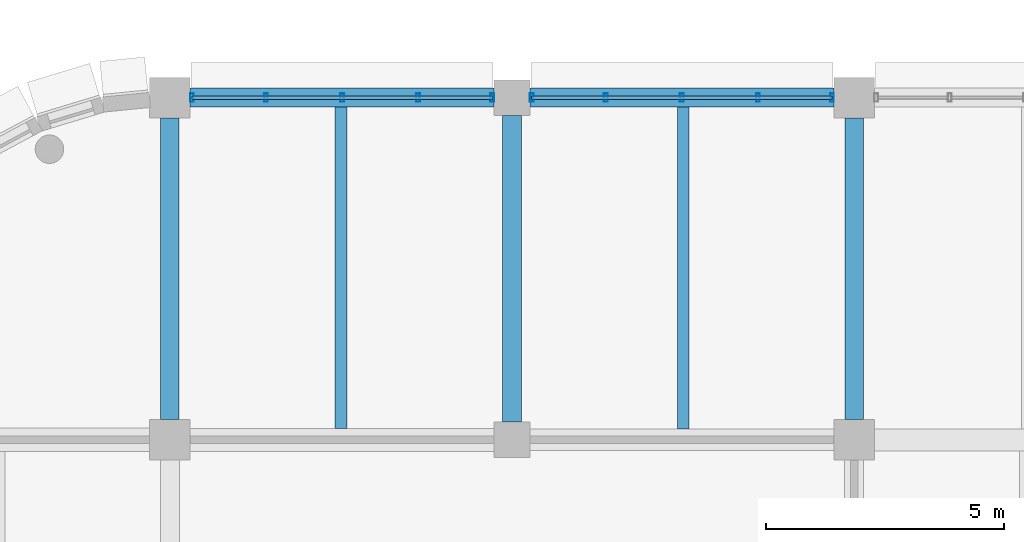
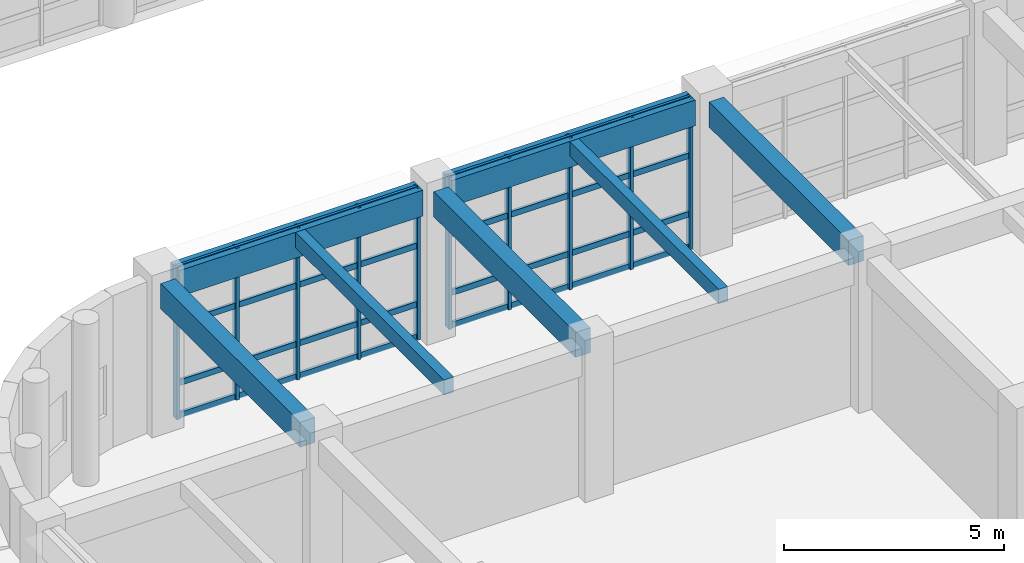
# One storey, part 35 of 171: 18 members, 7 beams, 2 elements without a shape of their own.
"""IFC4 building model written with IfcOpenShell, lengths in metres."""

import ifcopenshell
import ifcopenshell.guid

model = None  # the IFC model being written
_history = None  # IfcOwnerHistory: only IFC2X3 demands one
_inside = {}  # id of a spatial element -> (the spatial element, [elements in it])
_under = {}  # id of a project, library or spatial element -> (it, [spatial elements below it])
_declared = {}  # id of a project -> (the project, [libraries it declares])
_typed = {}  # id of a type object -> (the type object, [elements of that type])
_made_of = {}  # id of a material, layer set ... -> (it, [elements and type objects made of it])


def new_model(schema):
    """Start an empty IFC model of exactly this schema.

    Asked for "IFC4X3", IfcOpenShell would pick the latest addendum, in which some entities
    have other attributes; the version numbers below select the first issue.
    IFC2X3 requires an IfcOwnerHistory on every rooted entity: one is made here for all.
    """
    global model, _history
    if schema == "IFC4X3":
        model = ifcopenshell.file(schema_version=(4, 3, 0, 0))
    else:
        model = ifcopenshell.file(schema=schema)
    _inside.clear()
    _under.clear()
    _declared.clear()
    _typed.clear()
    _made_of.clear()
    _history = None
    if model.schema == "IFC2X3":
        org = make("IfcOrganization", Name="unknown")
        user = make(
            "IfcPersonAndOrganization",
            ThePerson=make("IfcPerson", FamilyName="unknown"),
            TheOrganization=org,
        )
        app = make(
            "IfcApplication",
            ApplicationDeveloper=org,
            Version="unknown",
            ApplicationFullName="unknown",
            ApplicationIdentifier="unknown",
        )
        _history = make(
            "IfcOwnerHistory",
            OwningUser=user,
            OwningApplication=app,
            ChangeAction="ADDED",
            CreationDate=0,
        )
    return model


def make(cls, **values):
    """One entity of the class cls with the attributes given. An attribute that is None is left unset."""
    return model.create_entity(
        cls, **{name: value for name, value in values.items() if value is not None}
    )


def rooted(cls, **values):
    """An entity with a GlobalId (a new one), such as an element, a storey or a relation."""
    return make(cls, GlobalId=ifcopenshell.guid.new(), OwnerHistory=_history, **values)


def si_unit(unit_type, name, prefix=None):
    """IfcSIUnit, for example si_unit("LENGTHUNIT", "METRE", prefix="MILLI")."""
    return make("IfcSIUnit", UnitType=unit_type, Prefix=prefix, Name=name)


def assignment(units):
    """IfcUnitAssignment: the units of a project."""
    return None if units is None else make("IfcUnitAssignment", Units=units)


def point(xyz):
    """IfcCartesianPoint."""
    return None if xyz is None else make("IfcCartesianPoint", Coordinates=xyz)


def direction(xyz):
    """IfcDirection."""
    return None if xyz is None else make("IfcDirection", DirectionRatios=xyz)


def frame(location, z_axis=None, x_axis=None):
    """IfcAxis2Placement3D, a coordinate frame: its origin and axes. An axis left out is left unset."""
    return make(
        "IfcAxis2Placement3D",
        Location=point(location),
        Axis=direction(z_axis),
        RefDirection=direction(x_axis),
    )


def frame_2d(location, x_axis=None):
    """IfcAxis2Placement2D, a coordinate frame in the plane: its origin and x axis."""
    return make(
        "IfcAxis2Placement2D", Location=point(location), RefDirection=direction(x_axis)
    )


def origin():
    """The frame at (0, 0, 0) with its axes left unset."""
    return frame((0.0, 0.0, 0.0))


def origin_2d():
    """The frame at (0, 0) in the plane with its x axis left unset."""
    return frame_2d((0.0, 0.0))


def place(relative_to, where):
    """IfcLocalPlacement: puts the frame where relative to a parent placement (None: the world)."""
    return make(
        "IfcLocalPlacement", PlacementRelTo=relative_to, RelativePlacement=where
    )


def context(
    kind, dimensions, precision=None, world=None, true_north=None, identifier=None
):
    """IfcGeometricRepresentationContext, for example the 3D "Model" context."""
    return make(
        "IfcGeometricRepresentationContext",
        ContextIdentifier=identifier,
        ContextType=kind,
        CoordinateSpaceDimension=dimensions,
        Precision=precision,
        WorldCoordinateSystem=world,
        TrueNorth=true_north,
    )


def subcontext(parent, identifier, kind, view, scale=None):
    """IfcGeometricRepresentationSubContext, for example "Body" below "Model"."""
    return make(
        "IfcGeometricRepresentationSubContext",
        ContextIdentifier=identifier,
        ContextType=kind,
        ParentContext=parent,
        TargetScale=scale,
        TargetView=view,
    )


def project(units=None, contexts=None):
    """IfcProject with its units and contexts."""
    return rooted(
        "IfcProject",
        Name="project",
        RepresentationContexts=contexts,
        UnitsInContext=assignment(units),
    )


def spatial(cls, under=None, at=None, **own):
    """A site, building, storey or space (cls), placed at a placement, below another one or the project."""
    s = rooted(cls, ObjectPlacement=at, **own)
    if under is not None:
        _under.setdefault(under.id(), (under, []))[1].append(s)
    return s


def profile(cls, at=None, kind="AREA", **sizes):
    """A parametric profile (cls). Its sizes go by their IFC names, for example OverallWidth=200.0."""
    return make(cls, ProfileType=kind, Position=at, **sizes)


def rectangle(**sizes):
    """IfcRectangleProfileDef."""
    return profile("IfcRectangleProfileDef", **sizes)


def hollow_rectangle(**sizes):
    """IfcRectangleHollowProfileDef."""
    return profile("IfcRectangleHollowProfileDef", **sizes)


def extrude(swept, where, along, depth):
    """IfcExtrudedAreaSolid: the profile swept, set in the frame where, extruded along a direction by depth."""
    return make(
        "IfcExtrudedAreaSolid",
        SweptArea=swept,
        Position=where,
        ExtrudedDirection=direction(along),
        Depth=depth,
    )


def shape(context_of_items, identifier, shape_type, items):
    """IfcShapeRepresentation: the items that make up one representation, for example the "Body"."""
    return make(
        "IfcShapeRepresentation",
        ContextOfItems=context_of_items,
        RepresentationIdentifier=identifier,
        RepresentationType=shape_type,
        Items=items,
    )


def material(Name=None, Category=None):
    """IfcMaterial."""
    return make("IfcMaterial", Name=Name, Category=Category)


def material_profile(
    of_material, cross_section, Name=None, Category=None, Priority=None
):
    """IfcMaterialProfile: a cross section and its material."""
    return make(
        "IfcMaterialProfile",
        Name=Name,
        Material=of_material,
        Profile=cross_section,
        Priority=Priority,
        Category=Category,
    )


def profile_set(profiles, Name=None, composite=None):
    """IfcMaterialProfileSet."""
    return make(
        "IfcMaterialProfileSet",
        Name=Name,
        MaterialProfiles=profiles,
        CompositeProfile=composite,
    )


def made_of(thing, what):
    """Note that an element or type object is made of a material, layer set ...; save() writes the relation."""
    if what is not None:
        _made_of.setdefault(what.id(), (what, []))[1].append(thing)
    return thing


def type_object(cls, material=None, **own):
    """A type object (cls), such as IfcWallType, which elements share."""
    return made_of(rooted(cls, **own), material)


def element(
    cls,
    number,
    at=None,
    inside=None,
    cuts=None,
    type_object=None,
    material=None,
    context=None,
    identifier="Body",
    shape_type=None,
    held_by="IfcProductDefinitionShape",
    body=None,
    shapes=None,
    **own,
):
    """One element of the class cls, such as IfcWall. Its Tag is "e" and its number.

    at: its placement. inside: the storey or other place that contains it. cuts: it is an
    opening in that element (IfcRelVoidsElement). A single representation is given by context,
    identifier, shape_type and body (its items); several are given by shapes. held_by: the class
    of the entity that holds the representations. save() writes the other relations.
    """
    e = rooted(cls, Tag="e%d" % number, ObjectPlacement=at, **own)
    if body is not None:
        shapes = [shape(context, identifier, shape_type, body)]
    if shapes is not None:
        e.Representation = make(held_by, Representations=shapes)
    if inside is not None:
        _inside.setdefault(inside.id(), (inside, []))[1].append(e)
    if cuts is not None:
        rooted(
            "IfcRelVoidsElement", RelatingBuildingElement=cuts, RelatedOpeningElement=e
        )
    if type_object is not None:
        _typed.setdefault(type_object.id(), (type_object, []))[1].append(e)
    return made_of(e, material)


def aggregate(whole, parts):
    """IfcRelAggregates: a whole, such as a stair, and the parts it consists of."""
    return rooted("IfcRelAggregates", RelatingObject=whole, RelatedObjects=parts)


def save(model, path):
    """Write the relations noted so far, then the file.

    IfcRelAggregates (storeys below a building ...), IfcRelContainedInSpatialStructure (elements
    in a storey), IfcRelDefinesByType, IfcRelAssociatesMaterial and IfcRelDeclares: one each for
    every whole, place, type object, material and project.
    """
    for whole, parts in _under.values():
        aggregate(whole, parts)
    for where, things in _inside.values():
        rooted(
            "IfcRelContainedInSpatialStructure",
            RelatedElements=things,
            RelatingStructure=where,
        )
    for kind, things in _typed.values():
        rooted("IfcRelDefinesByType", RelatedObjects=things, RelatingType=kind)
    for what, things in _made_of.values():
        rooted("IfcRelAssociatesMaterial", RelatedObjects=things, RelatingMaterial=what)
    for by, libraries in _declared.values():
        rooted("IfcRelDeclares", RelatingContext=by, RelatedDefinitions=libraries)
    model.write(path)


model = new_model("IFC4")

# Units and contexts
model_context = context("Model", 3, precision=1e-05, world=origin(), true_north=direction((0.0, 1.0)))
body_context = subcontext(model_context, "Body", "Model", "MODEL_VIEW")
ifc_project = project(units=[si_unit("LENGTHUNIT", "METRE"), si_unit("AREAUNIT", "SQUARE_METRE"), si_unit("VOLUMEUNIT", "CUBIC_METRE"), si_unit("PLANEANGLEUNIT", "RADIAN"), si_unit("MASSUNIT", "GRAM", prefix="KILO")], contexts=[model_context])

# Site, building, storey
site_placement = place(None, origin())
site = spatial("IfcSite", under=ifc_project, at=site_placement, CompositionType="ELEMENT")
building_placement = place(site_placement, origin())
building = spatial("IfcBuilding", under=site, at=building_placement, Name="Thalmaran Polytechnic", CompositionType="ELEMENT")
storey_placement = place(building_placement, frame((0.0, 0.0, 5.39990234375)))
storey = spatial("IfcBuildingStorey", under=building, at=storey_placement, Name="L01", CompositionType="ELEMENT", Elevation=5.39990234375)

# Beams
ifc_material_1 = material(Name="Concrete C40/50", Category="concrete")
ifc_material_profile_1 = material_profile(ifc_material_1, rectangle(XDim=0.389892578125, YDim=0.695068359375, at=origin_2d()), Name="RC 390x695")
ifc_profile_set_1 = profile_set([ifc_material_profile_1], Name="Concrete C40/50")
beam_type_1 = type_object("IfcBeamType", Name="BM-RC10", PredefinedType="BEAM", material=ifc_profile_set_1)
beam_1_placement = place(storey_placement, frame((64.800048828125, 29.22509765625, 3.862548828125), z_axis=(0.0, 1.0, 0.0), x_axis=(-1.0, 0.0, 0.0)))
element("IfcBeam", 1, at=beam_1_placement, inside=storey, type_object=beam_type_1, Name="Grid Beam B10 L01 Y(9,4)", PredefinedType="BEAM", context=body_context, shape_type="SweptSolid", body=[
    extrude(rectangle(XDim=0.389892578125, YDim=0.695068359375, at=origin_2d()), origin(), (0.0, 0.0, 1.0), 6.349853515625),
])
beam_2_placement = place(storey_placement, frame((72.0, 29.175048828125, 3.862548828125), z_axis=(0.0, 1.0, 0.0), x_axis=(-1.0, 0.0, 0.0)))
element("IfcBeam", 2, at=beam_2_placement, inside=storey, type_object=beam_type_1, Name="Grid Beam B10 L01 Y(10,4)", PredefinedType="BEAM", context=body_context, shape_type="SweptSolid", body=[
    extrude(rectangle(XDim=0.389892578125, YDim=0.695068359375, at=origin_2d()), origin(), (0.0, 0.0, 1.0), 6.449951171875),
])
beam_3_placement = place(storey_placement, frame((79.199951171875, 29.22509765625, 3.862548828125), z_axis=(0.0, 1.0, 0.0), x_axis=(-1.0, 0.0, 0.0)))
element("IfcBeam", 3, at=beam_3_placement, inside=storey, type_object=beam_type_1, Name="Grid Beam B10 L01 Y(11,4)", PredefinedType="BEAM", context=body_context, shape_type="SweptSolid", body=[
    extrude(rectangle(XDim=0.389892578125, YDim=0.695068359375, at=origin_2d()), origin(), (0.0, 0.0, 1.0), 6.349853515625),
])
ifc_material_profile_2 = material_profile(ifc_material_1, rectangle(XDim=0.39990234375, YDim=0.719970703125, at=origin_2d()), Name="RC 400x720")
ifc_profile_set_2 = profile_set([ifc_material_profile_2], Name="Concrete C40/50")
beam_type_2 = type_object("IfcBeamType", Name="BM-SP01", PredefinedType="SPANDREL", material=ifc_profile_set_2)
for number, where, z_axis, x_axis, name in (
    (4, (65.22509765625, 36.0, 3.85009765625), (1.0, 0.0, 0.0), (0.0, 1.0, 0.0), "Grid Beam SP01 L01 X(9,5)"),
    (5, (72.375, 36.0, 3.85009765625), (1.0, 0.0, 0.0), (0.0, 1.0, 0.0), "Grid Beam SP01 L01 X(10,5)"),
):
    element("IfcBeam", number, at=place(storey_placement, frame(where, z_axis=z_axis, x_axis=x_axis)), inside=storey, type_object=beam_type_2, Name=name, PredefinedType="SPANDREL", context=body_context, shape_type="SweptSolid", body=[
        extrude(rectangle(XDim=0.39990234375, YDim=0.719970703125, at=origin_2d()), origin(), (0.0, 0.0, 1.0), 6.39990234375),
    ])
ifc_material_profile_3 = material_profile(ifc_material_1, rectangle(XDim=0.25, YDim=0.419921875, at=origin_2d()), Name="RC 250x420")
ifc_profile_set_3 = profile_set([ifc_material_profile_3], Name="Concrete C40/50")
beam_type_3 = type_object("IfcBeamType", Name="BM-ZJ03", PredefinedType="JOIST", material=ifc_profile_set_3)
beam_4_placement = place(storey_placement, frame((68.39990234375, 29.0400390625, 4.0), z_axis=(0.0, 1.0, 0.0), x_axis=(-1.0, 0.0, 0.0)))
element("IfcBeam", 6, at=beam_4_placement, inside=storey, type_object=beam_type_3, Name="Secondary Floor Rib ZJ03 L01 (9,4)", PredefinedType="JOIST", context=body_context, shape_type="SweptSolid", body=[
    extrude(rectangle(XDim=0.25, YDim=0.419921875, at=origin_2d()), origin(), (0.0, 0.0, 1.0), 6.760009765625),
])
ifc_material_profile_4 = material_profile(ifc_material_1, rectangle(XDim=0.239990234375, YDim=0.39990234375, at=origin_2d()), Name="RC 240x400")
ifc_profile_set_4 = profile_set([ifc_material_profile_4], Name="Concrete C40/50")
beam_type_4 = type_object("IfcBeamType", Name="BM-ZJ04", PredefinedType="JOIST", material=ifc_profile_set_4)
beam_5_placement = place(storey_placement, frame((75.60009765625, 29.02490234375, 4.010009765625), z_axis=(0.0, 1.0, 0.0), x_axis=(-1.0, 0.0, 0.0)))
element("IfcBeam", 7, at=beam_5_placement, inside=storey, type_object=beam_type_4, Name="Secondary Floor Rib ZJ04 L01 (10,4)", PredefinedType="JOIST", context=body_context, shape_type="SweptSolid", body=[
    extrude(rectangle(XDim=0.239990234375, YDim=0.39990234375, at=origin_2d()), origin(), (0.0, 0.0, 1.0), 6.775146484375),
])

# Curtain wall, members
ifc_material_2 = material(Name="Aluminium 6063-T6", Category="aluminium")
curtain_wall_type = type_object("IfcCurtainWallType", Name="CW-UC02", PredefinedType="USERDEFINED", material=ifc_material_2)
curtain_wall_1_placement = place(storey_placement, origin())
curtain_wall_1 = element("IfcCurtainWall", 8, at=curtain_wall_1_placement, inside=storey, type_object=curtain_wall_type, Name="Curtain Wall CW-L01-168", ObjectType="UNITISED CURTAIN WALL", PredefinedType="USERDEFINED")
ifc_material_profile_5 = material_profile(ifc_material_2, hollow_rectangle(XDim=0.080078125, YDim=0.179931640625, WallThickness=0.0048828125, at=origin_2d()), Name="RHS 180x80x5.0")
ifc_profile_set_5 = profile_set([ifc_material_profile_5], Name="Aluminium 6063-T6")
member_type_1 = type_object("IfcMemberType", Name="CW-MUL1", PredefinedType="MULLION", material=ifc_profile_set_5)
member_1_placement = place(storey_placement, frame((65.264892578125, 36.0, 0.0), z_axis=(0.0, 0.0, 1.0), x_axis=(1.0, 0.0, 0.0)))
member_1 = element("IfcMember", 9, at=member_1_placement, type_object=member_type_1, Name="CW-L01-168 Mullion 1", PredefinedType="MULLION", context=body_context, shape_type="SweptSolid", body=[
    extrude(hollow_rectangle(XDim=0.080078125, YDim=0.179931640625, WallThickness=0.0048828125, at=origin_2d()), origin(), (0.0, 0.0, 1.0), 4.210205078125),
])
member_2_placement = place(storey_placement, frame((66.824951171875, 36.0, 0.0), z_axis=(0.0, 0.0, 1.0), x_axis=(1.0, 0.0, 0.0)))
member_2 = element("IfcMember", 10, at=member_2_placement, type_object=member_type_1, Name="CW-L01-168 Mullion 2", PredefinedType="MULLION", context=body_context, shape_type="SweptSolid", body=[
    extrude(hollow_rectangle(XDim=0.080078125, YDim=0.179931640625, WallThickness=0.0048828125, at=origin_2d()), origin(), (0.0, 0.0, 1.0), 4.210205078125),
])
member_3_placement = place(storey_placement, frame((68.425048828125, 36.0, 0.0), z_axis=(0.0, 0.0, 1.0), x_axis=(1.0, 0.0, 0.0)))
member_3 = element("IfcMember", 11, at=member_3_placement, type_object=member_type_1, Name="CW-L01-168 Mullion 3", PredefinedType="MULLION", context=body_context, shape_type="SweptSolid", body=[
    extrude(hollow_rectangle(XDim=0.080078125, YDim=0.179931640625, WallThickness=0.0048828125, at=origin_2d()), origin(), (0.0, 0.0, 1.0), 4.210205078125),
])
member_4_placement = place(storey_placement, frame((70.02490234375, 36.0, 0.0), z_axis=(0.0, 0.0, 1.0), x_axis=(1.0, 0.0, 0.0)))
member_4 = element("IfcMember", 12, at=member_4_placement, type_object=member_type_1, Name="CW-L01-168 Mullion 4", PredefinedType="MULLION", context=body_context, shape_type="SweptSolid", body=[
    extrude(hollow_rectangle(XDim=0.080078125, YDim=0.179931640625, WallThickness=0.0048828125, at=origin_2d()), origin(), (0.0, 0.0, 1.0), 4.210205078125),
])
member_5_placement = place(storey_placement, frame((71.5849609375, 36.0, 0.0), z_axis=(0.0, 0.0, 1.0), x_axis=(1.0, 0.0, 0.0)))
member_5 = element("IfcMember", 13, at=member_5_placement, type_object=member_type_1, Name="CW-L01-168 Mullion 5", PredefinedType="MULLION", context=body_context, shape_type="SweptSolid", body=[
    extrude(hollow_rectangle(XDim=0.080078125, YDim=0.179931640625, WallThickness=0.0048828125, at=origin_2d()), origin(), (0.0, 0.0, 1.0), 4.210205078125),
])

curtain_wall_2_placement = place(storey_placement, origin())
curtain_wall_2 = element("IfcCurtainWall", 14, at=curtain_wall_2_placement, inside=storey, type_object=curtain_wall_type, Name="Curtain Wall CW-L01-169", ObjectType="UNITISED CURTAIN WALL", PredefinedType="USERDEFINED")
member_6_placement = place(storey_placement, frame((72.4150390625, 36.0, 0.0), z_axis=(0.0, 0.0, 1.0), x_axis=(1.0, 0.0, 0.0)))
member_6 = element("IfcMember", 15, at=member_6_placement, type_object=member_type_1, Name="CW-L01-169 Mullion 1", PredefinedType="MULLION", context=body_context, shape_type="SweptSolid", body=[
    extrude(hollow_rectangle(XDim=0.080078125, YDim=0.179931640625, WallThickness=0.0048828125, at=origin_2d()), origin(), (0.0, 0.0, 1.0), 4.210205078125),
])
member_7_placement = place(storey_placement, frame((73.97509765625, 36.0, 0.0), z_axis=(0.0, 0.0, 1.0), x_axis=(1.0, 0.0, 0.0)))
member_7 = element("IfcMember", 16, at=member_7_placement, type_object=member_type_1, Name="CW-L01-169 Mullion 2", PredefinedType="MULLION", context=body_context, shape_type="SweptSolid", body=[
    extrude(hollow_rectangle(XDim=0.080078125, YDim=0.179931640625, WallThickness=0.0048828125, at=origin_2d()), origin(), (0.0, 0.0, 1.0), 4.210205078125),
])
member_8_placement = place(storey_placement, frame((75.574951171875, 36.0, 0.0), z_axis=(0.0, 0.0, 1.0), x_axis=(1.0, 0.0, 0.0)))
member_8 = element("IfcMember", 17, at=member_8_placement, type_object=member_type_1, Name="CW-L01-169 Mullion 3", PredefinedType="MULLION", context=body_context, shape_type="SweptSolid", body=[
    extrude(hollow_rectangle(XDim=0.080078125, YDim=0.179931640625, WallThickness=0.0048828125, at=origin_2d()), origin(), (0.0, 0.0, 1.0), 4.210205078125),
])
member_9_placement = place(storey_placement, frame((77.175048828125, 36.0, 0.0), z_axis=(0.0, 0.0, 1.0), x_axis=(1.0, 0.0, 0.0)))
member_9 = element("IfcMember", 18, at=member_9_placement, type_object=member_type_1, Name="CW-L01-169 Mullion 4", PredefinedType="MULLION", context=body_context, shape_type="SweptSolid", body=[
    extrude(hollow_rectangle(XDim=0.080078125, YDim=0.179931640625, WallThickness=0.0048828125, at=origin_2d()), origin(), (0.0, 0.0, 1.0), 4.210205078125),
])
member_10_placement = place(storey_placement, frame((78.735107421875, 36.0, 0.0), z_axis=(0.0, 0.0, 1.0), x_axis=(1.0, 0.0, 0.0)))
member_10 = element("IfcMember", 19, at=member_10_placement, type_object=member_type_1, Name="CW-L01-169 Mullion 5", PredefinedType="MULLION", context=body_context, shape_type="SweptSolid", body=[
    extrude(hollow_rectangle(XDim=0.080078125, YDim=0.179931640625, WallThickness=0.0048828125, at=origin_2d()), origin(), (0.0, 0.0, 1.0), 4.210205078125),
])

# Member
ifc_material_profile_6 = material_profile(ifc_material_2, hollow_rectangle(XDim=0.070068359375, YDim=0.159912109375, WallThickness=0.00390625, at=origin_2d()), Name="AL 160x70x4.0")
ifc_profile_set_6 = profile_set([ifc_material_profile_6], Name="Aluminium 6063-T6")
member_type_2 = type_object("IfcMemberType", Name="CW-TRN1", PredefinedType="USERDEFINED", material=ifc_profile_set_6)
member_11_placement = place(storey_placement, frame((65.264892578125, 36.0, 0.06005859375), z_axis=(1.0, 0.0, 0.0), x_axis=(0.0, 1.0, 0.0)))
member_11 = element("IfcMember", 20, at=member_11_placement, type_object=member_type_2, Name="CW-L01-168 Transom 1", ObjectType="TRANSOM", PredefinedType="USERDEFINED", context=body_context, shape_type="SweptSolid", body=[
    extrude(hollow_rectangle(XDim=0.070068359375, YDim=0.159912109375, WallThickness=0.00390625, at=origin_2d()), origin(), (0.0, 0.0, 1.0), 6.320068359375),
])

member_12_placement = place(storey_placement, frame((65.264892578125, 36.0, 0.960205078125), z_axis=(1.0, 0.0, 0.0), x_axis=(0.0, 1.0, 0.0)))
member_12 = element("IfcMember", 21, at=member_12_placement, type_object=member_type_2, Name="CW-L01-168 Transom 2", ObjectType="TRANSOM", PredefinedType="USERDEFINED", context=body_context, shape_type="SweptSolid", body=[
    extrude(hollow_rectangle(XDim=0.070068359375, YDim=0.159912109375, WallThickness=0.00390625, at=origin_2d()), origin(), (0.0, 0.0, 1.0), 6.320068359375),
])

member_13_placement = place(storey_placement, frame((65.264892578125, 36.0, 2.585205078125), z_axis=(1.0, 0.0, 0.0), x_axis=(0.0, 1.0, 0.0)))
member_13 = element("IfcMember", 22, at=member_13_placement, type_object=member_type_2, Name="CW-L01-168 Transom 3", ObjectType="TRANSOM", PredefinedType="USERDEFINED", context=body_context, shape_type="SweptSolid", body=[
    extrude(hollow_rectangle(XDim=0.070068359375, YDim=0.159912109375, WallThickness=0.00390625, at=origin_2d()), origin(), (0.0, 0.0, 1.0), 6.320068359375),
])

member_14_placement = place(storey_placement, frame((65.264892578125, 36.0, 4.150146484375), z_axis=(1.0, 0.0, 0.0), x_axis=(0.0, 1.0, 0.0)))
member_14 = element("IfcMember", 23, at=member_14_placement, type_object=member_type_2, Name="CW-L01-168 Transom 4", ObjectType="TRANSOM", PredefinedType="USERDEFINED", context=body_context, shape_type="SweptSolid", body=[
    extrude(hollow_rectangle(XDim=0.070068359375, YDim=0.159912109375, WallThickness=0.00390625, at=origin_2d()), origin(), (0.0, 0.0, 1.0), 6.320068359375),
])

aggregate(curtain_wall_1, [member_1, member_2, member_3, member_4, member_5, member_11, member_12, member_13, member_14])

member_15_placement = place(storey_placement, frame((72.4150390625, 36.0, 0.06005859375), z_axis=(1.0, 0.0, 0.0), x_axis=(0.0, 1.0, 0.0)))
member_15 = element("IfcMember", 24, at=member_15_placement, type_object=member_type_2, Name="CW-L01-169 Transom 1", ObjectType="TRANSOM", PredefinedType="USERDEFINED", context=body_context, shape_type="SweptSolid", body=[
    extrude(hollow_rectangle(XDim=0.070068359375, YDim=0.159912109375, WallThickness=0.00390625, at=origin_2d()), origin(), (0.0, 0.0, 1.0), 6.320068359375),
])

member_16_placement = place(storey_placement, frame((72.4150390625, 36.0, 0.960205078125), z_axis=(1.0, 0.0, 0.0), x_axis=(0.0, 1.0, 0.0)))
member_16 = element("IfcMember", 25, at=member_16_placement, type_object=member_type_2, Name="CW-L01-169 Transom 2", ObjectType="TRANSOM", PredefinedType="USERDEFINED", context=body_context, shape_type="SweptSolid", body=[
    extrude(hollow_rectangle(XDim=0.070068359375, YDim=0.159912109375, WallThickness=0.00390625, at=origin_2d()), origin(), (0.0, 0.0, 1.0), 6.320068359375),
])

member_17_placement = place(storey_placement, frame((72.4150390625, 36.0, 2.585205078125), z_axis=(1.0, 0.0, 0.0), x_axis=(0.0, 1.0, 0.0)))
member_17 = element("IfcMember", 26, at=member_17_placement, type_object=member_type_2, Name="CW-L01-169 Transom 3", ObjectType="TRANSOM", PredefinedType="USERDEFINED", context=body_context, shape_type="SweptSolid", body=[
    extrude(hollow_rectangle(XDim=0.070068359375, YDim=0.159912109375, WallThickness=0.00390625, at=origin_2d()), origin(), (0.0, 0.0, 1.0), 6.320068359375),
])

member_18_placement = place(storey_placement, frame((72.4150390625, 36.0, 4.150146484375), z_axis=(1.0, 0.0, 0.0), x_axis=(0.0, 1.0, 0.0)))
member_18 = element("IfcMember", 27, at=member_18_placement, type_object=member_type_2, Name="CW-L01-169 Transom 4", ObjectType="TRANSOM", PredefinedType="USERDEFINED", context=body_context, shape_type="SweptSolid", body=[
    extrude(hollow_rectangle(XDim=0.070068359375, YDim=0.159912109375, WallThickness=0.00390625, at=origin_2d()), origin(), (0.0, 0.0, 1.0), 6.320068359375),
])

aggregate(curtain_wall_2, [member_6, member_7, member_8, member_9, member_10, member_15, member_16, member_17, member_18])

save(model, "model.ifc")
